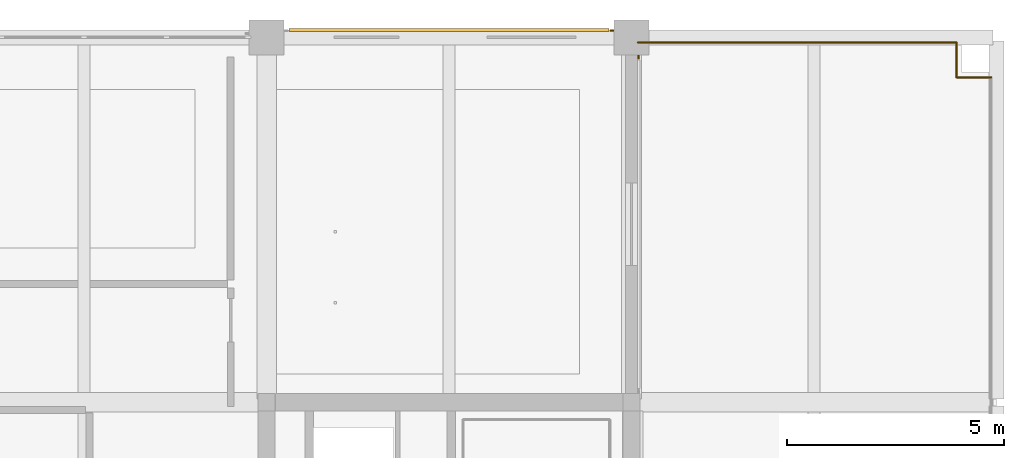
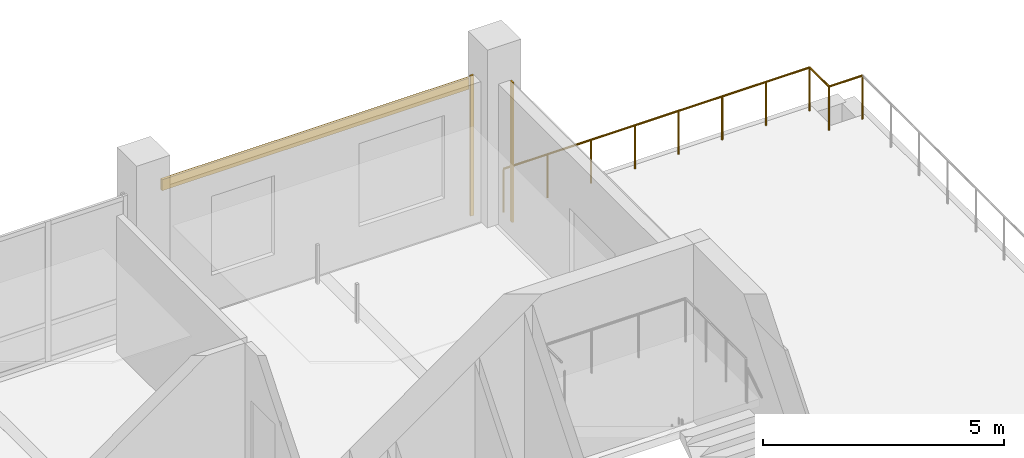
# One storey, part 36 of 36: 3 coverings, 1 railing.
"""IFC4 building model written with IfcOpenShell, lengths in metres."""

from ifc_helpers import new_model, si_unit, direction, frame, origin, origin_2d, place, context, subcontext, project, spatial, rectangle, circle, extrude, material, layer, layer_set, type_object, element, save


model = new_model("IFC4")

# Units and contexts
model_context = context("Model", 3, precision=1e-05, world=origin(), true_north=direction((0.0, 1.0)))
body_context = subcontext(model_context, "Body", "Model", "MODEL_VIEW")
ifc_project = project(units=[si_unit("LENGTHUNIT", "METRE"), si_unit("AREAUNIT", "SQUARE_METRE"), si_unit("VOLUMEUNIT", "CUBIC_METRE"), si_unit("PLANEANGLEUNIT", "RADIAN"), si_unit("MASSUNIT", "GRAM", prefix="KILO")], contexts=[model_context])

# Site, building, storey
site_placement = place(None, origin())
site = spatial("IfcSite", under=ifc_project, at=site_placement, CompositionType="ELEMENT")
building_placement = place(site_placement, origin())
building = spatial("IfcBuilding", under=site, at=building_placement, Name="Telukmera Botanical Conservatory", CompositionType="ELEMENT")
storey_placement = place(building_placement, frame((0.0, 0.0, 33.0)))
storey = spatial("IfcBuildingStorey", under=building, at=storey_placement, Name="L07", CompositionType="ELEMENT", Elevation=33.0)

# Railing
ifc_material_1 = material(Name="Brushed stainless steel grade 316", Category="steel")
railing_type = type_object("IfcRailingType", Name="Exterior Terrace Safety Guardrail 1100", PredefinedType="GUARDRAIL", material=ifc_material_1)
railing_placement = place(storey_placement, frame((109.080078125, 41.8798828125, 0.0400390625)))
element("IfcRailing", 1, at=railing_placement, inside=storey, type_object=railing_type, Name="Tower Sky Terrace Guardrail L07 N", PredefinedType="GUARDRAIL", context=body_context, shape_type="SweptSolid", body=[
    extrude(circle(Radius=0.02392578125, at=origin_2d()), frame((0.0, 0.0, 1.09619140625), z_axis=(-1.0, 0.0, 0.0), x_axis=(0.0, -1.0, 0.0)), (0.0, 0.0, 1.0), 0.800048828125),
    extrude(circle(Radius=0.02392578125, at=origin_2d()), frame((-0.800048828125, 0.0, 1.09619140625), z_axis=(0.0, 1.0, 0.0), x_axis=(-1.0, 0.0, 0.0)), (0.0, 0.0, 1.0), 0.800048828125),
    extrude(circle(Radius=0.02392578125, at=origin_2d()), frame((-0.800048828125, 0.800048828125, 1.09619140625), z_axis=(-1.0, 0.0, 0.0), x_axis=(0.0, -1.0, 0.0)), (0.0, 0.0, 1.0), 7.330078125),
    extrude(circle(Radius=0.02099609375, at=origin_2d()), origin(), (0.0, 0.0, 1.0), 1.072021484375),
    extrude(circle(Radius=0.02099609375, at=origin_2d()), frame((-0.800048828125, 0.0, 0.0)), (0.0, 0.0, 1.0), 1.072021484375),
    extrude(circle(Radius=0.02099609375, at=origin_2d()), frame((-0.800048828125, 0.800048828125, 0.0)), (0.0, 0.0, 1.0), 1.072021484375),
    extrude(circle(Radius=0.02099609375, at=origin_2d()), frame((-1.84716796875, 0.800048828125, 0.0)), (0.0, 0.0, 1.0), 1.072021484375),
    extrude(circle(Radius=0.02099609375, at=origin_2d()), frame((-2.894287109375, 0.800048828125, 0.0)), (0.0, 0.0, 1.0), 1.072021484375),
    extrude(circle(Radius=0.02099609375, at=origin_2d()), frame((-3.94140625, 0.800048828125, 0.0)), (0.0, 0.0, 1.0), 1.072021484375),
    extrude(circle(Radius=0.02099609375, at=origin_2d()), frame((-4.98876953125, 0.800048828125, 0.0)), (0.0, 0.0, 1.0), 1.072021484375),
    extrude(circle(Radius=0.02099609375, at=origin_2d()), frame((-6.035888671875, 0.800048828125, 0.0)), (0.0, 0.0, 1.0), 1.072021484375),
    extrude(circle(Radius=0.02099609375, at=origin_2d()), frame((-7.0830078125, 0.800048828125, 0.0)), (0.0, 0.0, 1.0), 1.072021484375),
    extrude(circle(Radius=0.02099609375, at=origin_2d()), frame((-8.130126953125, 0.800048828125, 0.0)), (0.0, 0.0, 1.0), 1.072021484375),
])

# Coverings
ifc_material_2 = material(Name="Granite-faced precast concrete C40/50", Category="masonry")
ifc_layer_1 = layer(ifc_material_2, 0.0400390625)
ifc_layer_set_1 = layer_set([ifc_layer_1], Name="Granite-faced precast concrete C40/50")
covering_type_1 = type_object("IfcCoveringType", Name="Granite Precast Column Pier Reveal Casing", PredefinedType="CLADDING", material=ifc_layer_set_1)
for number, where, z_axis, x_axis, name in (
    (2, (100.347900390625, 42.9599609375, 0.0), (0.0, 0.0, 1.0), (1.0, 0.0, 0.0), "Granite Pier Reveal V4:L07:N6 R"),
    (3, (100.9599609375, 42.347900390625, 0.0), (0.0, 0.0, 1.0), (0.0, 1.0, 0.0), "Granite Pier Reveal V4:L07:E4 R"),
):
    element("IfcCovering", number, at=place(storey_placement, frame(where, z_axis=z_axis, x_axis=x_axis)), inside=storey, type_object=covering_type_1, Name=name, PredefinedType="CLADDING", context=body_context, shape_type="SweptSolid", body=[
        extrude(rectangle(XDim=0.080078125, YDim=0.0400390625, at=origin_2d()), origin(), (0.0, 0.0, 1.0), 3.550048828125),
    ])
ifc_material_3 = material(Name="Terracotta-faced precast concrete C40/50", Category="masonry")
ifc_layer_2 = layer(ifc_material_3, 0.06005859375)
ifc_layer_set_2 = layer_set([ifc_layer_2], Name="Terracotta-faced precast concrete C40/50")
covering_type_2 = type_object("IfcCoveringType", Name="Polychrome Terracotta Facade Band Cladding", PredefinedType="CLADDING", material=ifc_layer_set_2)
covering_placement = place(storey_placement, frame((96.60009765625, 42.969970703125, 3.22998046875), z_axis=(0.0, 0.0, 1.0), x_axis=(1.0, 0.0, 0.0)))
element("IfcCovering", 4, at=covering_placement, inside=storey, type_object=covering_type_2, Name="Polychrome Terracotta Band V4:L07:N6", PredefinedType="CLADDING", context=body_context, shape_type="SweptSolid", body=[
    extrude(rectangle(XDim=7.35595703125, YDim=0.06005859375, at=origin_2d()), origin(), (0.0, 0.0, 1.0), 0.280029296875),
])

save(model, "model.ifc")
